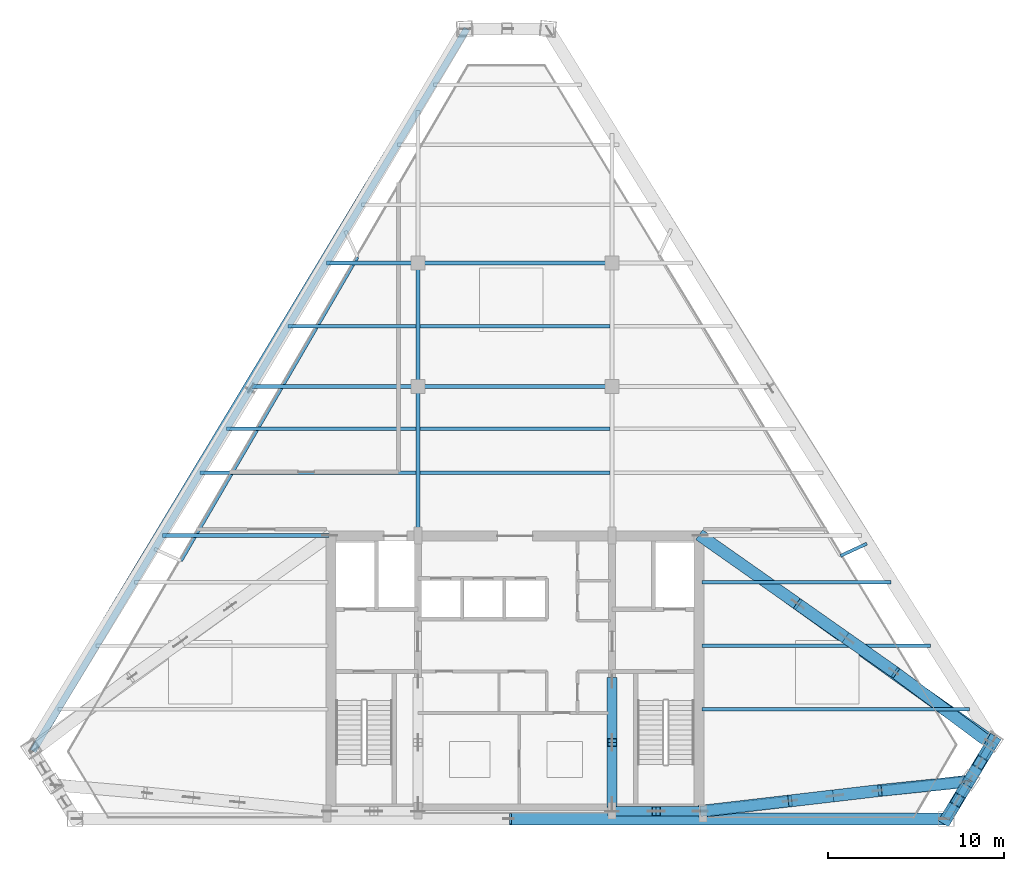
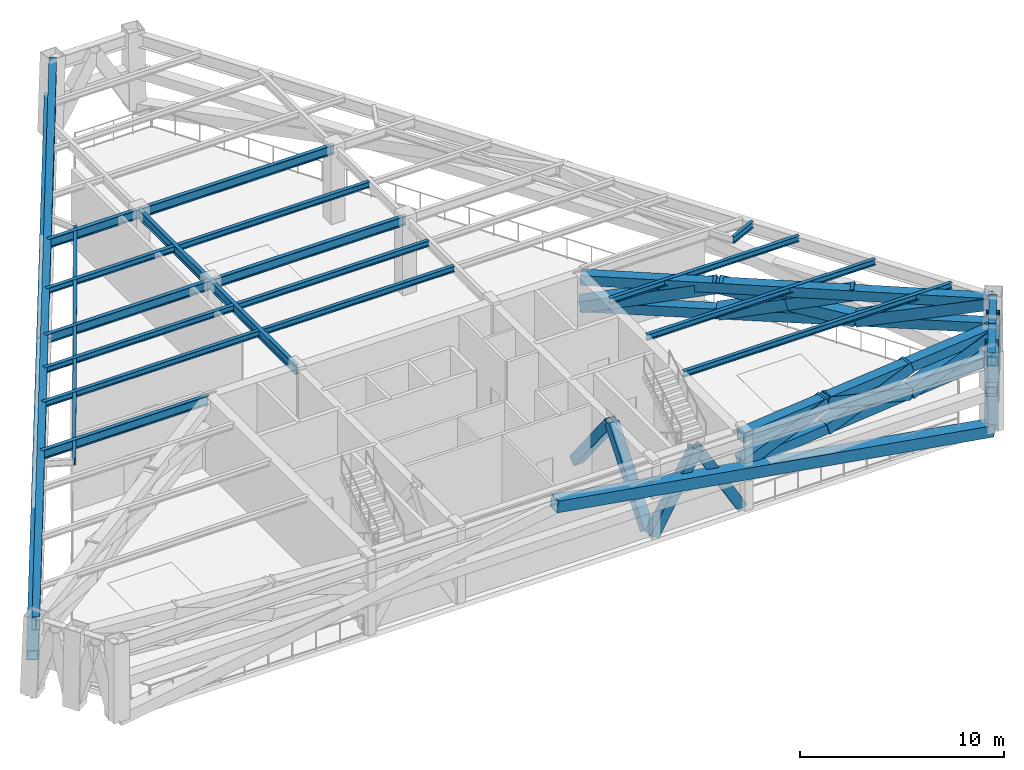
# One storey, part 2 of 9: 26 members, 21 beams.
"""IFC4 building model written with IfcOpenShell, lengths in metres."""

import ifcopenshell
import ifcopenshell.guid

model = None  # the IFC model being written
_history = None  # IfcOwnerHistory: only IFC2X3 demands one
_inside = {}  # id of a spatial element -> (the spatial element, [elements in it])
_under = {}  # id of a project, library or spatial element -> (it, [spatial elements below it])
_declared = {}  # id of a project -> (the project, [libraries it declares])
_typed = {}  # id of a type object -> (the type object, [elements of that type])
_made_of = {}  # id of a material, layer set ... -> (it, [elements and type objects made of it])


def new_model(schema):
    """Start an empty IFC model of exactly this schema.

    Asked for "IFC4X3", IfcOpenShell would pick the latest addendum, in which some entities
    have other attributes; the version numbers below select the first issue.
    IFC2X3 requires an IfcOwnerHistory on every rooted entity: one is made here for all.
    """
    global model, _history
    if schema == "IFC4X3":
        model = ifcopenshell.file(schema_version=(4, 3, 0, 0))
    else:
        model = ifcopenshell.file(schema=schema)
    _inside.clear()
    _under.clear()
    _declared.clear()
    _typed.clear()
    _made_of.clear()
    _history = None
    if model.schema == "IFC2X3":
        org = make("IfcOrganization", Name="unknown")
        user = make(
            "IfcPersonAndOrganization",
            ThePerson=make("IfcPerson", FamilyName="unknown"),
            TheOrganization=org,
        )
        app = make(
            "IfcApplication",
            ApplicationDeveloper=org,
            Version="unknown",
            ApplicationFullName="unknown",
            ApplicationIdentifier="unknown",
        )
        _history = make(
            "IfcOwnerHistory",
            OwningUser=user,
            OwningApplication=app,
            ChangeAction="ADDED",
            CreationDate=0,
        )
    return model


def make(cls, **values):
    """One entity of the class cls with the attributes given. An attribute that is None is left unset."""
    return model.create_entity(
        cls, **{name: value for name, value in values.items() if value is not None}
    )


def rooted(cls, **values):
    """An entity with a GlobalId (a new one), such as an element, a storey or a relation."""
    return make(cls, GlobalId=ifcopenshell.guid.new(), OwnerHistory=_history, **values)


def si_unit(unit_type, name, prefix=None):
    """IfcSIUnit, for example si_unit("LENGTHUNIT", "METRE", prefix="MILLI")."""
    return make("IfcSIUnit", UnitType=unit_type, Prefix=prefix, Name=name)


def assignment(units):
    """IfcUnitAssignment: the units of a project."""
    return None if units is None else make("IfcUnitAssignment", Units=units)


def point(xyz):
    """IfcCartesianPoint."""
    return None if xyz is None else make("IfcCartesianPoint", Coordinates=xyz)


def direction(xyz):
    """IfcDirection."""
    return None if xyz is None else make("IfcDirection", DirectionRatios=xyz)


def frame(location, z_axis=None, x_axis=None):
    """IfcAxis2Placement3D, a coordinate frame: its origin and axes. An axis left out is left unset."""
    return make(
        "IfcAxis2Placement3D",
        Location=point(location),
        Axis=direction(z_axis),
        RefDirection=direction(x_axis),
    )


def frame_2d(location, x_axis=None):
    """IfcAxis2Placement2D, a coordinate frame in the plane: its origin and x axis."""
    return make(
        "IfcAxis2Placement2D", Location=point(location), RefDirection=direction(x_axis)
    )


def origin():
    """The frame at (0, 0, 0) with its axes left unset."""
    return frame((0.0, 0.0, 0.0))


def origin_2d():
    """The frame at (0, 0) in the plane with its x axis left unset."""
    return frame_2d((0.0, 0.0))


def place(relative_to, where):
    """IfcLocalPlacement: puts the frame where relative to a parent placement (None: the world)."""
    return make(
        "IfcLocalPlacement", PlacementRelTo=relative_to, RelativePlacement=where
    )


def context(
    kind, dimensions, precision=None, world=None, true_north=None, identifier=None
):
    """IfcGeometricRepresentationContext, for example the 3D "Model" context."""
    return make(
        "IfcGeometricRepresentationContext",
        ContextIdentifier=identifier,
        ContextType=kind,
        CoordinateSpaceDimension=dimensions,
        Precision=precision,
        WorldCoordinateSystem=world,
        TrueNorth=true_north,
    )


def subcontext(parent, identifier, kind, view, scale=None):
    """IfcGeometricRepresentationSubContext, for example "Body" below "Model"."""
    return make(
        "IfcGeometricRepresentationSubContext",
        ContextIdentifier=identifier,
        ContextType=kind,
        ParentContext=parent,
        TargetScale=scale,
        TargetView=view,
    )


def project(units=None, contexts=None):
    """IfcProject with its units and contexts."""
    return rooted(
        "IfcProject",
        Name="project",
        RepresentationContexts=contexts,
        UnitsInContext=assignment(units),
    )


def spatial(cls, under=None, at=None, **own):
    """A site, building, storey or space (cls), placed at a placement, below another one or the project."""
    s = rooted(cls, ObjectPlacement=at, **own)
    if under is not None:
        _under.setdefault(under.id(), (under, []))[1].append(s)
    return s


def profile(cls, at=None, kind="AREA", **sizes):
    """A parametric profile (cls). Its sizes go by their IFC names, for example OverallWidth=200.0."""
    return make(cls, ProfileType=kind, Position=at, **sizes)


def hollow_rectangle(**sizes):
    """IfcRectangleHollowProfileDef."""
    return profile("IfcRectangleHollowProfileDef", **sizes)


def i_section(**sizes):
    """IfcIShapeProfileDef."""
    return profile("IfcIShapeProfileDef", **sizes)


def extrude(swept, where, along, depth):
    """IfcExtrudedAreaSolid: the profile swept, set in the frame where, extruded along a direction by depth."""
    return make(
        "IfcExtrudedAreaSolid",
        SweptArea=swept,
        Position=where,
        ExtrudedDirection=direction(along),
        Depth=depth,
    )


def shape(context_of_items, identifier, shape_type, items):
    """IfcShapeRepresentation: the items that make up one representation, for example the "Body"."""
    return make(
        "IfcShapeRepresentation",
        ContextOfItems=context_of_items,
        RepresentationIdentifier=identifier,
        RepresentationType=shape_type,
        Items=items,
    )


def source(mapping_origin, context_of_items, identifier, shape_type, items):
    """IfcRepresentationMap: a shape defined once, which mapped items show again and again."""
    return make(
        "IfcRepresentationMap",
        MappingOrigin=mapping_origin,
        MappedRepresentation=shape(context_of_items, identifier, shape_type, items),
    )


def transform(
    local_origin,
    x_axis=None,
    y_axis=None,
    z_axis=None,
    scale=None,
    scale2=None,
    scale3=None,
    uniform=True,
):
    """IfcCartesianTransformationOperator3D, or its non-uniform kind. x_axis, y_axis, z_axis: its Axis1, 2, 3."""
    if uniform:
        return make(
            "IfcCartesianTransformationOperator3D",
            Axis1=direction(x_axis),
            Axis2=direction(y_axis),
            LocalOrigin=point(local_origin),
            Scale=scale,
            Axis3=direction(z_axis),
        )
    return make(
        "IfcCartesianTransformationOperator3DnonUniform",
        Axis1=direction(x_axis),
        Axis2=direction(y_axis),
        LocalOrigin=point(local_origin),
        Scale=scale,
        Axis3=direction(z_axis),
        Scale2=scale2,
        Scale3=scale3,
    )


def mapped(mapping_source, mapping_target):
    """IfcMappedItem: shows the shape of a source again, moved by a transform."""
    return make(
        "IfcMappedItem", MappingSource=mapping_source, MappingTarget=mapping_target
    )


def material(Name=None, Category=None):
    """IfcMaterial."""
    return make("IfcMaterial", Name=Name, Category=Category)


def material_profile(
    of_material, cross_section, Name=None, Category=None, Priority=None
):
    """IfcMaterialProfile: a cross section and its material."""
    return make(
        "IfcMaterialProfile",
        Name=Name,
        Material=of_material,
        Profile=cross_section,
        Priority=Priority,
        Category=Category,
    )


def profile_set(profiles, Name=None, composite=None):
    """IfcMaterialProfileSet."""
    return make(
        "IfcMaterialProfileSet",
        Name=Name,
        MaterialProfiles=profiles,
        CompositeProfile=composite,
    )


def made_of(thing, what):
    """Note that an element or type object is made of a material, layer set ...; save() writes the relation."""
    if what is not None:
        _made_of.setdefault(what.id(), (what, []))[1].append(thing)
    return thing


def type_object(cls, material=None, **own):
    """A type object (cls), such as IfcWallType, which elements share."""
    return made_of(rooted(cls, **own), material)


def type_shapes(of_type, sources):
    """Give a type object the sources (RepresentationMaps) that its elements show as mapped items."""
    of_type.RepresentationMaps = sources


def element(
    cls,
    number,
    at=None,
    inside=None,
    cuts=None,
    type_object=None,
    material=None,
    context=None,
    identifier="Body",
    shape_type=None,
    held_by="IfcProductDefinitionShape",
    body=None,
    shapes=None,
    **own,
):
    """One element of the class cls, such as IfcWall. Its Tag is "e" and its number.

    at: its placement. inside: the storey or other place that contains it. cuts: it is an
    opening in that element (IfcRelVoidsElement). A single representation is given by context,
    identifier, shape_type and body (its items); several are given by shapes. held_by: the class
    of the entity that holds the representations. save() writes the other relations.
    """
    e = rooted(cls, Tag="e%d" % number, ObjectPlacement=at, **own)
    if body is not None:
        shapes = [shape(context, identifier, shape_type, body)]
    if shapes is not None:
        e.Representation = make(held_by, Representations=shapes)
    if inside is not None:
        _inside.setdefault(inside.id(), (inside, []))[1].append(e)
    if cuts is not None:
        rooted(
            "IfcRelVoidsElement", RelatingBuildingElement=cuts, RelatedOpeningElement=e
        )
    if type_object is not None:
        _typed.setdefault(type_object.id(), (type_object, []))[1].append(e)
    return made_of(e, material)


def aggregate(whole, parts):
    """IfcRelAggregates: a whole, such as a stair, and the parts it consists of."""
    return rooted("IfcRelAggregates", RelatingObject=whole, RelatedObjects=parts)


def save(model, path):
    """Write the relations noted so far, then the file.

    IfcRelAggregates (storeys below a building ...), IfcRelContainedInSpatialStructure (elements
    in a storey), IfcRelDefinesByType, IfcRelAssociatesMaterial and IfcRelDeclares: one each for
    every whole, place, type object, material and project.
    """
    for whole, parts in _under.values():
        aggregate(whole, parts)
    for where, things in _inside.values():
        rooted(
            "IfcRelContainedInSpatialStructure",
            RelatedElements=things,
            RelatingStructure=where,
        )
    for kind, things in _typed.values():
        rooted("IfcRelDefinesByType", RelatedObjects=things, RelatingType=kind)
    for what, things in _made_of.values():
        rooted("IfcRelAssociatesMaterial", RelatedObjects=things, RelatingMaterial=what)
    for by, libraries in _declared.values():
        rooted("IfcRelDeclares", RelatingContext=by, RelatedDefinitions=libraries)
    model.write(path)


model = new_model("IFC4")

# Units and contexts
model_context = context("Model", 3, precision=1e-05, world=origin(), true_north=direction((0.0, 1.0)))
body_context = subcontext(model_context, "Body", "Model", "MODEL_VIEW")
ifc_project = project(units=[si_unit("LENGTHUNIT", "METRE"), si_unit("AREAUNIT", "SQUARE_METRE"), si_unit("VOLUMEUNIT", "CUBIC_METRE"), si_unit("PLANEANGLEUNIT", "RADIAN"), si_unit("MASSUNIT", "GRAM", prefix="KILO")], contexts=[model_context])

# Site, building, storey
site_placement = place(None, origin())
site = spatial("IfcSite", under=ifc_project, at=site_placement, CompositionType="ELEMENT")
building_placement = place(site_placement, origin())
building = spatial("IfcBuilding", under=site, at=building_placement, Name="Varnakhor Terracotta Tower", CompositionType="ELEMENT")
storey_placement = place(building_placement, frame((0.0, 0.0, 257.949951171875)))
storey = spatial("IfcBuildingStorey", under=building, at=storey_placement, Name="L67", CompositionType="ELEMENT", Elevation=257.949951171875)

# Beams
ifc_material_1 = material(Name="Steel S355", Category="steel")
ifc_material_profile_1 = material_profile(ifc_material_1, i_section(OverallWidth=0.214111328125, OverallDepth=0.549072265625, WebThickness=0.014892578125, FlangeThickness=0.02392578125, FilletRadius=0.01806640625, at=origin_2d()), Name="W21X93")
ifc_profile_set_1 = profile_set([ifc_material_profile_1], Name="Steel S355")
beam_type_1 = type_object("IfcBeamType", Name="BM-W21X93", PredefinedType="BEAM", material=ifc_profile_set_1)
shared_shape_1 = source(origin(), body_context, "Body", "SweptSolid", [
    extrude(i_section(OverallWidth=0.214111328125, OverallDepth=0.549072265625, WebThickness=0.014892578125, FlangeThickness=0.02392578125, FilletRadius=0.01806640625, at=origin_2d()), origin(), (0.0, 0.0, 1.0), 8.449951171875),
])
type_shapes(beam_type_1, [shared_shape_1])
beam_1_placement = place(storey_placement, frame((-5.5, 16.050048828125, 4.215576171875), z_axis=(0.0, 1.0, 0.0), x_axis=(-1.0, 0.0, 0.0)))
element("IfcBeam", 1, at=beam_1_placement, inside=storey, type_object=beam_type_1, Name="L67 Primary Girder NS1-W", PredefinedType="BEAM", context=body_context, shape_type="MappedRepresentation", body=[
    mapped(shared_shape_1, transform((0.0, 0.0, 0.0), scale=1.0)),
])
shared_shape_2 = source(origin(), body_context, "Body", "SweptSolid", [
    extrude(i_section(OverallWidth=0.214111328125, OverallDepth=0.549072265625, WebThickness=0.014892578125, FlangeThickness=0.02392578125, FilletRadius=0.01806640625, at=origin_2d()), origin(), (0.0, 0.0, 1.0), 7.0),
])
beam_2_placement = place(storey_placement, frame((-5.5, 24.5, 4.215576171875), z_axis=(0.0, 1.0, 0.0), x_axis=(-1.0, 0.0, 0.0)))
element("IfcBeam", 2, at=beam_2_placement, inside=storey, type_object=beam_type_1, Name="L67 Primary Girder NS2-W", PredefinedType="BEAM", context=body_context, shape_type="MappedRepresentation", body=[
    mapped(shared_shape_2, transform((0.0, 0.0, 0.0), scale=1.0)),
])
shared_shape_3 = source(origin(), body_context, "Body", "SweptSolid", [
    extrude(i_section(OverallWidth=0.214111328125, OverallDepth=0.549072265625, WebThickness=0.014892578125, FlangeThickness=0.02392578125, FilletRadius=0.01806640625, at=origin_2d()), origin(), (0.0, 0.0, 1.0), 11.0),
])
for number, where, z_axis, x_axis, name in (
    (3, (-5.5, 24.5, 4.215576171875), (1.0, 0.0, 0.0), (0.0, 1.0, 0.0), "L67 Primary Girder EW2-2"),
    (4, (-5.5, 31.5, 4.215576171875), (1.0, 0.0, 0.0), (0.0, 1.0, 0.0), "L67 Primary Girder EW3-2"),
):
    element("IfcBeam", number, at=place(storey_placement, frame(where, z_axis=z_axis, x_axis=x_axis)), inside=storey, type_object=beam_type_1, Name=name, PredefinedType="BEAM", context=body_context, shape_type="MappedRepresentation", body=[
        mapped(shared_shape_3, transform((0.0, 0.0, 0.0), scale=1.0)),
    ])
ifc_material_profile_2 = material_profile(ifc_material_1, i_section(OverallWidth=0.202880859375, OverallDepth=0.346923828125, WebThickness=0.0078125, FlangeThickness=0.013427734375, FilletRadius=0.01806640625, at=origin_2d()), Name="W14X43")
ifc_profile_set_2 = profile_set([ifc_material_profile_2], Name="Steel S355")
beam_type_2 = type_object("IfcBeamType", Name="JST-W14X43", PredefinedType="JOIST", material=ifc_profile_set_2)
shared_shape_4 = source(origin(), body_context, "Body", "SweptSolid", [
    extrude(i_section(OverallWidth=0.202880859375, OverallDepth=0.346923828125, WebThickness=0.0078125, FlangeThickness=0.013427734375, FilletRadius=0.01806640625, at=origin_2d()), origin(), (0.0, 0.0, 1.0), 10.7939453125),
])
for number, where, z_axis, x_axis, name in (
    (5, (-5.39697265625, 19.60009765625, 4.316650390625), (1.0, 0.0, 0.0), (0.0, 1.0, 0.0), "L67 Composite Floor Joist 4-2"),
    (6, (-5.39697265625, 22.10009765625, 4.316650390625), (1.0, 0.0, 0.0), (0.0, 1.0, 0.0), "L67 Composite Floor Joist 5-2"),
    (7, (-5.39697265625, 27.89990234375, 4.316650390625), (1.0, 0.0, 0.0), (0.0, 1.0, 0.0), "L67 Composite Floor Joist 6-2"),
):
    element("IfcBeam", number, at=place(storey_placement, frame(where, z_axis=z_axis, x_axis=x_axis)), inside=storey, type_object=beam_type_2, Name=name, PredefinedType="JOIST", context=body_context, shape_type="MappedRepresentation", body=[
        mapped(shared_shape_4, transform((0.0, 0.0, 0.0), scale=1.0)),
    ])
ifc_material_profile_3 = material_profile(ifc_material_1, i_section(OverallWidth=0.381103515625, OverallDepth=0.77294921875, WebThickness=0.01708984375, FlangeThickness=0.027099609375, FilletRadius=0.01806640625, at=origin_2d()), Name="W30X173")
ifc_profile_set_3 = profile_set([ifc_material_profile_3], Name="Steel S355")
beam_type_3 = type_object("IfcBeamType", Name="BM-W30X173", PredefinedType="BEAM", material=ifc_profile_set_3)
shared_shape_5 = source(origin(), body_context, "Body", "SweptSolid", [
    extrude(i_section(OverallWidth=0.381103515625, OverallDepth=0.77294921875, WebThickness=0.01708984375, FlangeThickness=0.027099609375, FilletRadius=0.01806640625, at=origin_2d()), origin(), (0.0, 0.0, 1.0), 2.474609375),
])
beam_3_placement = place(storey_placement, frame((24.43505859375, 0.0, 4.103515625), z_axis=(0.515017990596, 0.857179368256, 0.0), x_axis=(-0.857179368256, 0.515017990596, 0.0)))
element("IfcBeam", 8, at=beam_3_placement, inside=storey, type_object=beam_type_3, Name="L67 Perimeter Spandrel 2", PredefinedType="BEAM", context=body_context, shape_type="MappedRepresentation", body=[
    mapped(shared_shape_5, transform((0.0, 0.0, 0.0), scale=1.0)),
])
shared_shape_6 = source(origin(), body_context, "Body", "SweptSolid", [
    extrude(i_section(OverallWidth=0.381103515625, OverallDepth=0.77294921875, WebThickness=0.01708984375, FlangeThickness=0.027099609375, FilletRadius=0.01806640625, at=origin_2d()), origin(), (0.0, 0.0, 1.0), 2.474365234375),
])
beam_4_placement = place(storey_placement, frame((25.70947265625, 2.12109375, 4.103515625), z_axis=(0.514945492196, 0.857222923204, 0.0), x_axis=(-0.857222923204, 0.514945492196, 0.0)))
element("IfcBeam", 9, at=beam_4_placement, inside=storey, type_object=beam_type_3, Name="L67 Perimeter Spandrel 3", PredefinedType="BEAM", context=body_context, shape_type="MappedRepresentation", body=[
    mapped(shared_shape_6, transform((0.0, 0.0, 0.0), scale=1.0)),
])
shared_shape_7 = source(origin(), body_context, "Body", "SweptSolid", [
    extrude(i_section(OverallWidth=0.381103515625, OverallDepth=0.77294921875, WebThickness=0.01708984375, FlangeThickness=0.027099609375, FilletRadius=0.01806640625, at=origin_2d()), origin(), (0.0, 0.0, 1.0), 47.754150390625),
])
beam_5_placement = place(storey_placement, frame((-2.72314453125, 44.766845703125, 4.103515625), z_axis=(-0.515008412754, -0.857185122825, 0.0), x_axis=(0.857185122825, -0.515008412754, 0.0)))
element("IfcBeam", 10, at=beam_5_placement, inside=storey, type_object=beam_type_3, Name="L67 Perimeter Spandrel 6", PredefinedType="BEAM", context=body_context, shape_type="MappedRepresentation", body=[
    mapped(shared_shape_7, transform((0.0, 0.0, 0.0), scale=1.0)),
])
ifc_material_profile_4 = material_profile(ifc_material_1, i_section(OverallWidth=0.179931640625, OverallDepth=0.39990234375, WebThickness=0.008544921875, FlangeThickness=0.013427734375, FilletRadius=0.01806640625, at=origin_2d()), Name="IPE400")
ifc_profile_set_4 = profile_set([ifc_material_profile_4], Name="Steel S355")
beam_type_4 = type_object("IfcBeamType", Name="JST-IPE400", PredefinedType="JOIST", material=ifc_profile_set_4)
shared_shape_8 = source(origin(), body_context, "Body", "SweptSolid", [
    extrude(i_section(OverallWidth=0.179931640625, OverallDepth=0.39990234375, WebThickness=0.008544921875, FlangeThickness=0.013427734375, FilletRadius=0.01806640625, at=origin_2d()), origin(), (0.0, 0.0, 1.0), 19.907958984375),
])
beam_6_placement = place(storey_placement, frame((-8.9208984375, 31.827880859375, 4.2900390625), z_axis=(-0.502507058288, -0.864573106435, 0.0), x_axis=(0.864573106435, -0.502507058288, 0.0)))
element("IfcBeam", 11, at=beam_6_placement, inside=storey, type_object=beam_type_4, Name="L67 Loggia Edge Beam 2", PredefinedType="JOIST", context=body_context, shape_type="MappedRepresentation", body=[
    mapped(shared_shape_8, transform((0.0, 0.0, 0.0), scale=1.0)),
])
shared_shape_9 = source(origin(), body_context, "Body", "SweptSolid", [
    extrude(i_section(OverallWidth=0.214111328125, OverallDepth=0.549072265625, WebThickness=0.014892578125, FlangeThickness=0.02392578125, FilletRadius=0.01806640625, at=origin_2d()), origin(), (0.0, 0.0, 1.0), 9.426513671875),
])
beam_7_placement = place(storey_placement, frame((-19.9765625, 16.050048828125, 4.215576171875), z_axis=(1.0, 0.0, 0.0), x_axis=(0.0, 1.0, 0.0)))
element("IfcBeam", 12, at=beam_7_placement, inside=storey, type_object=beam_type_1, Name="L67 Wing Girder W", PredefinedType="BEAM", context=body_context, shape_type="MappedRepresentation", body=[
    mapped(shared_shape_9, transform((0.0, 0.0, 0.0), scale=1.0)),
])
shared_shape_10 = source(origin(), body_context, "Body", "SweptSolid", [
    extrude(i_section(OverallWidth=0.214111328125, OverallDepth=0.549072265625, WebThickness=0.014892578125, FlangeThickness=0.02392578125, FilletRadius=0.01806640625, at=origin_2d()), origin(), (0.0, 0.0, 1.0), 9.399658203125),
])
beam_8_placement = place(storey_placement, frame((-14.899658203125, 24.5, 4.215576171875), z_axis=(1.0, 0.0, 0.0), x_axis=(0.0, 1.0, 0.0)))
element("IfcBeam", 13, at=beam_8_placement, inside=storey, type_object=beam_type_1, Name="L67 Primary Girder EW2-1", PredefinedType="BEAM", context=body_context, shape_type="MappedRepresentation", body=[
    mapped(shared_shape_10, transform((0.0, 0.0, 0.0), scale=1.0)),
])
shared_shape_11 = source(origin(), body_context, "Body", "SweptSolid", [
    extrude(i_section(OverallWidth=0.214111328125, OverallDepth=0.549072265625, WebThickness=0.014892578125, FlangeThickness=0.02392578125, FilletRadius=0.01806640625, at=origin_2d()), origin(), (0.0, 0.0, 1.0), 5.194091796875),
])
beam_9_placement = place(storey_placement, frame((-10.694091796875, 31.5, 4.215576171875), z_axis=(1.0, 0.0, 0.0), x_axis=(0.0, 1.0, 0.0)))
element("IfcBeam", 14, at=beam_9_placement, inside=storey, type_object=beam_type_1, Name="L67 Primary Girder EW3-1", PredefinedType="BEAM", context=body_context, shape_type="MappedRepresentation", body=[
    mapped(shared_shape_11, transform((0.0, 0.0, 0.0), scale=1.0)),
])
shared_shape_12 = source(origin(), body_context, "Body", "SweptSolid", [
    extrude(i_section(OverallWidth=0.202880859375, OverallDepth=0.346923828125, WebThickness=0.0078125, FlangeThickness=0.013427734375, FilletRadius=0.01806640625, at=origin_2d()), origin(), (0.0, 0.0, 1.0), 15.1669921875),
])
beam_10_placement = place(storey_placement, frame((10.60009765625, 6.199951171875, 4.316650390625), z_axis=(1.0, 0.0, 0.0), x_axis=(0.0, 1.0, 0.0)))
element("IfcBeam", 15, at=beam_10_placement, inside=storey, type_object=beam_type_2, Name="L67 Floor Joist E1", PredefinedType="JOIST", context=body_context, shape_type="MappedRepresentation", body=[
    mapped(shared_shape_12, transform((0.0, 0.0, 0.0), scale=1.0)),
])
shared_shape_13 = source(origin(), body_context, "Body", "SweptSolid", [
    extrude(i_section(OverallWidth=0.202880859375, OverallDepth=0.346923828125, WebThickness=0.0078125, FlangeThickness=0.013427734375, FilletRadius=0.01806640625, at=origin_2d()), origin(), (0.0, 0.0, 1.0), 12.93017578125),
])
beam_11_placement = place(storey_placement, frame((10.60009765625, 9.800048828125, 4.316650390625), z_axis=(1.0, 0.0, 0.0), x_axis=(0.0, 1.0, 0.0)))
element("IfcBeam", 16, at=beam_11_placement, inside=storey, type_object=beam_type_2, Name="L67 Floor Joist E2", PredefinedType="JOIST", context=body_context, shape_type="MappedRepresentation", body=[
    mapped(shared_shape_13, transform((0.0, 0.0, 0.0), scale=1.0)),
])
shared_shape_14 = source(origin(), body_context, "Body", "SweptSolid", [
    extrude(i_section(OverallWidth=0.202880859375, OverallDepth=0.346923828125, WebThickness=0.0078125, FlangeThickness=0.013427734375, FilletRadius=0.01806640625, at=origin_2d()), origin(), (0.0, 0.0, 1.0), 10.693115234375),
])
beam_12_placement = place(storey_placement, frame((10.60009765625, 13.39990234375, 4.316650390625), z_axis=(1.0, 0.0, 0.0), x_axis=(0.0, 1.0, 0.0)))
element("IfcBeam", 17, at=beam_12_placement, inside=storey, type_object=beam_type_2, Name="L67 Floor Joist E3", PredefinedType="JOIST", context=body_context, shape_type="MappedRepresentation", body=[
    mapped(shared_shape_14, transform((0.0, 0.0, 0.0), scale=1.0)),
])
shared_shape_15 = source(origin(), body_context, "Body", "SweptSolid", [
    extrude(i_section(OverallWidth=0.202880859375, OverallDepth=0.346923828125, WebThickness=0.0078125, FlangeThickness=0.013427734375, FilletRadius=0.01806640625, at=origin_2d()), origin(), (0.0, 0.0, 1.0), 12.24072265625),
])
beam_13_placement = place(storey_placement, frame((-17.84375, 19.60009765625, 4.316650390625), z_axis=(1.0, 0.0, 0.0), x_axis=(0.0, 1.0, 0.0)))
element("IfcBeam", 18, at=beam_13_placement, inside=storey, type_object=beam_type_2, Name="L67 Composite Floor Joist 4-1", PredefinedType="JOIST", context=body_context, shape_type="MappedRepresentation", body=[
    mapped(shared_shape_15, transform((0.0, 0.0, 0.0), scale=1.0)),
])
shared_shape_16 = source(origin(), body_context, "Body", "SweptSolid", [
    extrude(i_section(OverallWidth=0.202880859375, OverallDepth=0.346923828125, WebThickness=0.0078125, FlangeThickness=0.013427734375, FilletRadius=0.01806640625, at=origin_2d()), origin(), (0.0, 0.0, 1.0), 10.73876953125),
])
beam_14_placement = place(storey_placement, frame((-16.341796875, 22.10009765625, 4.316650390625), z_axis=(1.0, 0.0, 0.0), x_axis=(0.0, 1.0, 0.0)))
element("IfcBeam", 19, at=beam_14_placement, inside=storey, type_object=beam_type_2, Name="L67 Composite Floor Joist 5-1", PredefinedType="JOIST", context=body_context, shape_type="MappedRepresentation", body=[
    mapped(shared_shape_16, transform((0.0, 0.0, 0.0), scale=1.0)),
])
shared_shape_17 = source(origin(), body_context, "Body", "SweptSolid", [
    extrude(i_section(OverallWidth=0.202880859375, OverallDepth=0.346923828125, WebThickness=0.0078125, FlangeThickness=0.013427734375, FilletRadius=0.01806640625, at=origin_2d()), origin(), (0.0, 0.0, 1.0), 7.25390625),
])
beam_15_placement = place(storey_placement, frame((-12.85693359375, 27.89990234375, 4.316650390625), z_axis=(1.0, 0.0, 0.0), x_axis=(0.0, 1.0, 0.0)))
element("IfcBeam", 20, at=beam_15_placement, inside=storey, type_object=beam_type_2, Name="L67 Composite Floor Joist 6-1", PredefinedType="JOIST", context=body_context, shape_type="MappedRepresentation", body=[
    mapped(shared_shape_17, transform((0.0, 0.0, 0.0), scale=1.0)),
])

# Members
ifc_material_profile_5 = material_profile(ifc_material_1, hollow_rectangle(XDim=0.550048828125, YDim=0.550048828125, WallThickness=0.034912109375, at=origin_2d()), Name="HSS550X550X35")
ifc_profile_set_5 = profile_set([ifc_material_profile_5], Name="Steel S355")
member_type_1 = type_object("IfcMemberType", Name="MBR-MEGA-550", PredefinedType="BRACE", material=ifc_profile_set_5)
shared_shape_18 = source(origin(), body_context, "Body", "SweptSolid", [
    extrude(hollow_rectangle(XDim=0.550048828125, YDim=0.550048828125, WallThickness=0.034912109375, at=origin_2d()), origin(), (0.0, 0.0, 1.0), 5.008544921875),
])
for number, where, z_axis, x_axis, name in (
    (21, (5.5, 0.419921875, 0.0), (0.49913860216, 0.0, 0.86652216119), (0.0, 1.0, 0.0), "L67 Core Coupled Brace CSEA"),
    (22, (10.5, 0.419921875, 0.0), (-0.49913860216, 0.0, 0.86652216119), (0.0, -1.0, 0.0), "L67 Core Coupled Brace CSEB"),
):
    element("IfcMember", number, at=place(storey_placement, frame(where, z_axis=z_axis, x_axis=x_axis)), inside=storey, type_object=member_type_1, Name=name, PredefinedType="BRACE", context=body_context, shape_type="MappedRepresentation", body=[
        mapped(shared_shape_18, transform((0.0, 0.0, 0.0), scale=1.0)),
    ])
shared_shape_19 = source(origin(), body_context, "Body", "SweptSolid", [
    extrude(hollow_rectangle(XDim=0.550048828125, YDim=0.550048828125, WallThickness=0.034912109375, at=origin_2d()), origin(), (0.0, 0.0, 1.0), 5.559814453125),
])
for number, where, z_axis, x_axis, name in (
    (23, (5.5, 0.85009765625, 0.0), (0.0, 0.625000242142, 0.780624555931), (-1.0, 0.0, 0.0), "L67 Core Coupled Brace CWEA"),
    (24, (5.5, 7.800048828125, 0.0), (0.0, -0.625026999934, 0.780603131785), (1.0, 0.0, 0.0), "L67 Core Coupled Brace CWEB"),
):
    element("IfcMember", number, at=place(storey_placement, frame(where, z_axis=z_axis, x_axis=x_axis)), inside=storey, type_object=member_type_1, Name=name, PredefinedType="BRACE", context=body_context, shape_type="MappedRepresentation", body=[
        mapped(shared_shape_19, transform((0.0, 0.0, 0.0), scale=1.0)),
    ])
ifc_material_2 = material(Name="Steel S460", Category="steel")
ifc_material_profile_6 = material_profile(ifc_material_2, hollow_rectangle(XDim=0.679931640625, YDim=0.679931640625, WallThickness=0.048095703125, at=origin_2d()), Name="HSS680X680X48")
ifc_profile_set_6 = profile_set([ifc_material_profile_6], Name="Steel S460")
member_type_2 = type_object("IfcMemberType", Name="MBR-OUTRIGGER-680", PredefinedType="BRACE", material=ifc_profile_set_6)
shared_shape_20 = source(origin(), body_context, "Body", "SweptSolid", [
    extrude(hollow_rectangle(XDim=0.679931640625, YDim=0.679931640625, WallThickness=0.048095703125, at=origin_2d()), origin(), (0.0, 0.0, 1.0), 25.028076171875),
])
member_1_placement = place(storey_placement, frame((24.439208984375, 0.0, 0.0), z_axis=(-0.986467643321, 0.0, 0.163956057165), x_axis=(0.0, -1.0, 0.0)))
element("IfcMember", 25, at=member_1_placement, inside=storey, type_object=member_type_2, Name="L67 Belt-Truss Diagonal S1B", PredefinedType="BRACE", context=body_context, shape_type="MappedRepresentation", body=[
    mapped(shared_shape_20, transform((0.0, 0.0, 0.0), scale=1.0)),
])
shared_shape_21 = source(origin(), body_context, "Body", "SweptSolid", [
    extrude(hollow_rectangle(XDim=0.679931640625, YDim=0.679931640625, WallThickness=0.048095703125, at=origin_2d()), origin(), (0.0, 0.0, 1.0), 4.285400390625),
])
member_2_placement = place(storey_placement, frame((24.439208984375, 0.0, 0.0), z_axis=(0.147725224842, 0.247481055423, 0.95756482034), x_axis=(-0.858659266355, 0.512546841082, 0.0)))
element("IfcMember", 26, at=member_2_placement, inside=storey, type_object=member_type_2, Name="L67 Belt-Truss Diagonal E1A", PredefinedType="BRACE", context=body_context, shape_type="MappedRepresentation", body=[
    mapped(shared_shape_21, transform((0.0, 0.0, 0.0), scale=1.0)),
])
shared_shape_22 = source(origin(), body_context, "Body", "SweptSolid", [
    extrude(hollow_rectangle(XDim=0.679931640625, YDim=0.679931640625, WallThickness=0.048095703125, at=origin_2d()), origin(), (0.0, 0.0, 1.0), 4.313232421875),
])
member_3_placement = place(storey_placement, frame((25.76171875, 2.196044921875, 0.0), z_axis=(-0.159847896615, -0.263262240495, 0.951389322348), x_axis=(0.854772956151, -0.51900211313, 0.0)))
element("IfcMember", 27, at=member_3_placement, inside=storey, type_object=member_type_2, Name="L67 Belt-Truss Diagonal E1B", PredefinedType="BRACE", context=body_context, shape_type="MappedRepresentation", body=[
    mapped(shared_shape_22, transform((0.0, 0.0, 0.0), scale=1.0)),
])
ifc_material_profile_7 = material_profile(ifc_material_2, hollow_rectangle(XDim=0.580078125, YDim=0.580078125, WallThickness=0.0380859375, at=origin_2d()), Name="HSS580X580X38")
ifc_profile_set_7 = profile_set([ifc_material_profile_7], Name="Steel S460")
member_type_3 = type_object("IfcMemberType", Name="MBR-BELT-CHORD-580", PredefinedType="CHORD", material=ifc_profile_set_7)
shared_shape_23 = source(origin(), body_context, "Body", "SweptSolid", [
    extrude(hollow_rectangle(XDim=0.580078125, YDim=0.580078125, WallThickness=0.0380859375, at=origin_2d()), origin(), (0.0, 0.0, 1.0), 2.5634765625),
])
for number, where, z_axis, x_axis, name in (
    (28, (24.439208984375, 0.0, 2.150146484375), (0.515895604547, 0.856651460753, 0.0), (-0.856651460753, 0.515895604547, 0.0), "L67 Belt-Truss Bottom Chord E1"),
    (29, (25.76171875, 2.196044921875, 2.150146484375), (0.515825709996, 0.856693549005, 0.0), (-0.856693549005, 0.515825709996, 0.0), "L67 Belt-Truss Bottom Chord E2"),
):
    element("IfcMember", number, at=place(storey_placement, frame(where, z_axis=z_axis, x_axis=x_axis)), inside=storey, type_object=member_type_3, Name=name, PredefinedType="CHORD", context=body_context, shape_type="MappedRepresentation", body=[
        mapped(shared_shape_23, transform((0.0, 0.0, 0.0), scale=1.0)),
    ])
shared_shape_24 = source(origin(), body_context, "Body", "SweptSolid", [
    extrude(hollow_rectangle(XDim=0.679931640625, YDim=0.679931640625, WallThickness=0.048095703125, at=origin_2d()), origin(), (0.0, 0.0, 1.0), 4.260498046875),
])
member_4_placement = place(storey_placement, frame((25.76171875, 2.196044921875, 0.0), z_axis=(0.137298367098, 0.231275546581, 0.963151483384), x_axis=(-0.859889815119, 0.510479682117, 0.0)))
element("IfcMember", 30, at=member_4_placement, inside=storey, type_object=member_type_2, Name="L67 Belt-Truss Diagonal E2A", PredefinedType="BRACE", context=body_context, shape_type="MappedRepresentation", body=[
    mapped(shared_shape_24, transform((0.0, 0.0, 0.0), scale=1.0)),
])
shared_shape_25 = source(origin(), body_context, "Body", "SweptSolid", [
    extrude(hollow_rectangle(XDim=0.679931640625, YDim=0.679931640625, WallThickness=0.048095703125, at=origin_2d()), origin(), (0.0, 0.0, 1.0), 4.341552734375),
])
member_5_placement = place(storey_placement, frame((27.083984375, 4.39208984375, 0.0), z_axis=(-0.169828911818, -0.278868070763, 0.945193493323), x_axis=(0.854085457922, -0.520132704764, 0.0)))
element("IfcMember", 31, at=member_5_placement, inside=storey, type_object=member_type_2, Name="L67 Belt-Truss Diagonal E2B", PredefinedType="BRACE", context=body_context, shape_type="MappedRepresentation", body=[
    mapped(shared_shape_25, transform((0.0, 0.0, 0.0), scale=1.0)),
])
shared_shape_26 = source(origin(), body_context, "Body", "SweptSolid", [
    extrude(hollow_rectangle(XDim=0.580078125, YDim=0.580078125, WallThickness=0.0380859375, at=origin_2d()), origin(), (0.0, 0.0, 1.0), 47.58935546875),
])
member_6_placement = place(storey_placement, frame((-2.87353515625, 44.7587890625, 2.150146484375), z_axis=(-0.515867411813, -0.856668438446, 0.0), x_axis=(0.856668438446, -0.515867411813, 0.0)))
element("IfcMember", 32, at=member_6_placement, inside=storey, type_object=member_type_3, Name="L67 Belt-Truss Bottom Chord NW", PredefinedType="CHORD", context=body_context, shape_type="MappedRepresentation", body=[
    mapped(shared_shape_26, transform((0.0, 0.0, 0.0), scale=1.0)),
])
shared_shape_27 = source(origin(), body_context, "Body", "SweptSolid", [
    extrude(hollow_rectangle(XDim=0.580078125, YDim=0.580078125, WallThickness=0.0380859375, at=origin_2d()), origin(), (0.0, 0.0, 1.0), 15.36474609375),
])
member_7_placement = place(storey_placement, frame((10.5, 0.419921875, 2.550048828125), z_axis=(0.993296140898, 0.115597476085, 0.0), x_axis=(-0.115597476085, 0.993296140898, 0.0)))
element("IfcMember", 33, at=member_7_placement, inside=storey, type_object=member_type_3, Name="L67 Outrigger Bottom Chord OE1", PredefinedType="CHORD", context=body_context, shape_type="MappedRepresentation", body=[
    mapped(shared_shape_27, transform((0.0, 0.0, 0.0), scale=1.0)),
])
shared_shape_28 = source(origin(), body_context, "Body", "SweptSolid", [
    extrude(hollow_rectangle(XDim=0.580078125, YDim=0.580078125, WallThickness=0.0380859375, at=origin_2d()), origin(), (0.0, 0.0, 1.0), 15.30419921875),
])
member_8_placement = place(storey_placement, frame((10.5, 0.419921875, 4.14013671875), z_axis=(0.993802930153, 0.111156358427, 0.0), x_axis=(-0.111156358427, 0.993802930153, 0.0)))
element("IfcMember", 34, at=member_8_placement, inside=storey, type_object=member_type_3, Name="L67 Outrigger Top Chord OE1", PredefinedType="CHORD", context=body_context, shape_type="MappedRepresentation", body=[
    mapped(shared_shape_28, transform((0.0, 0.0, 0.0), scale=1.0)),
])
shared_shape_29 = source(origin(), body_context, "Body", "SweptSolid", [
    extrude(hollow_rectangle(XDim=0.679931640625, YDim=0.679931640625, WallThickness=0.048095703125, at=origin_2d()), origin(), (0.0, 0.0, 1.0), 5.362548828125),
])
for number, where, z_axis, x_axis, name in (
    (35, (10.5, 0.419921875, 2.550048828125), (0.948626757892, 0.110400724091, 0.29651130557), (-0.115599300608, 0.993295928563, 0.0), "L67 Outrigger Web Diagonal OE1-1"),
    (36, (15.587158203125, 1.011962890625, 4.14013671875), (0.948626757892, 0.110400724091, -0.29651130557), (-0.115599300608, 0.993295928563, 0.0), "L67 Outrigger Continuous X-Diagonal OE1-2"),
):
    element("IfcMember", number, at=place(storey_placement, frame(where, z_axis=z_axis, x_axis=x_axis)), inside=storey, type_object=member_type_2, Name=name, PredefinedType="BRACE", context=body_context, shape_type="MappedRepresentation", body=[
        mapped(shared_shape_29, transform((0.0, 0.0, 0.0), scale=1.0)),
    ])
shared_shape_30 = source(origin(), body_context, "Body", "SweptSolid", [
    extrude(hollow_rectangle(XDim=0.679931640625, YDim=0.679931640625, WallThickness=0.048095703125, at=origin_2d()), origin(), (0.0, 0.0, 1.0), 2.681396484375),
])
member_9_placement = place(storey_placement, frame((15.587158203125, 1.011962890625, 2.550048828125), z_axis=(0.948639350173, 0.110442415948, 0.29645548749), x_axis=(-0.11564085745, 0.993291091316, 0.0)))
element("IfcMember", 37, at=member_9_placement, inside=storey, type_object=member_type_2, Name="L67 Outrigger Split X-Diagonal OE1-3A", PredefinedType="BRACE", context=body_context, shape_type="MappedRepresentation", body=[
    mapped(shared_shape_30, transform((0.0, 0.0, 0.0), scale=1.0)),
])
shared_shape_31 = source(origin(), body_context, "Body", "SweptSolid", [
    extrude(hollow_rectangle(XDim=0.679931640625, YDim=0.679931640625, WallThickness=0.048095703125, at=origin_2d()), origin(), (0.0, 0.0, 1.0), 2.68115234375),
])
member_10_placement = place(storey_placement, frame((18.130859375, 1.30810546875, 3.344970703125), z_axis=(0.948614159982, 0.110359028787, 0.296567126038), x_axis=(-0.11555773917, 0.993300764581, 0.0)))
element("IfcMember", 38, at=member_10_placement, inside=storey, type_object=member_type_2, Name="L67 Outrigger Split X-Diagonal OE1-3B", PredefinedType="BRACE", context=body_context, shape_type="MappedRepresentation", body=[
    mapped(shared_shape_31, transform((0.0, 0.0, 0.0), scale=1.0)),
])
shared_shape_32 = source(origin(), body_context, "Body", "SweptSolid", [
    extrude(hollow_rectangle(XDim=0.679931640625, YDim=0.679931640625, WallThickness=0.048095703125, at=origin_2d()), origin(), (0.0, 0.0, 1.0), 5.305419921875),
])
member_11_placement = place(storey_placement, frame((20.67431640625, 1.60400390625, 2.550048828125), z_axis=(0.94904075264, 0.097462583111, 0.299704345517), x_axis=(-0.102158596169, 0.994768124353, 0.0)))
element("IfcMember", 39, at=member_11_placement, inside=storey, type_object=member_type_2, Name="L67 Outrigger Web Diagonal OE1-4", PredefinedType="BRACE", context=body_context, shape_type="MappedRepresentation", body=[
    mapped(shared_shape_32, transform((0.0, 0.0, 0.0), scale=1.0)),
])
shared_shape_33 = source(origin(), body_context, "Body", "SweptSolid", [
    extrude(hollow_rectangle(XDim=0.580078125, YDim=0.580078125, WallThickness=0.0380859375, at=origin_2d()), origin(), (0.0, 0.0, 1.0), 20.271484375),
])
member_12_placement = place(storey_placement, frame((10.5, 16.050048828125, 2.550048828125), z_axis=(0.818090777997, -0.575089105231, 0.0), x_axis=(0.575089105231, 0.818090777997, 0.0)))
element("IfcMember", 40, at=member_12_placement, inside=storey, type_object=member_type_3, Name="L67 Outrigger Bottom Chord OE2", PredefinedType="CHORD", context=body_context, shape_type="MappedRepresentation", body=[
    mapped(shared_shape_33, transform((0.0, 0.0, 0.0), scale=1.0)),
])
shared_shape_34 = source(origin(), body_context, "Body", "SweptSolid", [
    extrude(hollow_rectangle(XDim=0.580078125, YDim=0.580078125, WallThickness=0.0380859375, at=origin_2d()), origin(), (0.0, 0.0, 1.0), 20.276611328125),
])
member_13_placement = place(storey_placement, frame((10.5, 16.050048828125, 4.14013671875), z_axis=(0.812943575346, -0.582342462219, 0.0), x_axis=(0.582342462219, 0.812943575346, 0.0)))
element("IfcMember", 41, at=member_13_placement, inside=storey, type_object=member_type_3, Name="L67 Outrigger Top Chord OE2", PredefinedType="CHORD", context=body_context, shape_type="MappedRepresentation", body=[
    mapped(shared_shape_34, transform((0.0, 0.0, 0.0), scale=1.0)),
])
shared_shape_35 = source(origin(), body_context, "Body", "SweptSolid", [
    extrude(hollow_rectangle(XDim=0.679931640625, YDim=0.679931640625, WallThickness=0.048095703125, at=origin_2d()), origin(), (0.0, 0.0, 1.0), 6.94189453125),
])
member_14_placement = place(storey_placement, frame((10.5, 16.050048828125, 2.550048828125), z_axis=(0.796343671099, -0.559793411336, 0.229059149842), x_axis=(0.575083439107, 0.818094761054, 0.0)))
element("IfcMember", 42, at=member_14_placement, inside=storey, type_object=member_type_2, Name="L67 Outrigger Web Diagonal OE2-1", PredefinedType="BRACE", context=body_context, shape_type="MappedRepresentation", body=[
    mapped(shared_shape_35, transform((0.0, 0.0, 0.0), scale=1.0)),
])
shared_shape_36 = source(origin(), body_context, "Body", "SweptSolid", [
    extrude(hollow_rectangle(XDim=0.679931640625, YDim=0.679931640625, WallThickness=0.048095703125, at=origin_2d()), origin(), (0.0, 0.0, 1.0), 6.941650390625),
])
member_15_placement = place(storey_placement, frame((16.028076171875, 12.1640625, 4.14013671875), z_axis=(0.796330804251, -0.559809089801, -0.229065565237), x_axis=(0.575100437732, 0.81808281153, 0.0)))
element("IfcMember", 43, at=member_15_placement, inside=storey, type_object=member_type_2, Name="L67 Outrigger Continuous X-Diagonal OE2-2", PredefinedType="BRACE", context=body_context, shape_type="MappedRepresentation", body=[
    mapped(shared_shape_36, transform((0.0, 0.0, 0.0), scale=1.0)),
])
shared_shape_37 = source(origin(), body_context, "Body", "SweptSolid", [
    extrude(hollow_rectangle(XDim=0.679931640625, YDim=0.679931640625, WallThickness=0.048095703125, at=origin_2d()), origin(), (0.0, 0.0, 1.0), 3.470947265625),
])
member_16_placement = place(storey_placement, frame((16.028076171875, 12.1640625, 2.550048828125), z_axis=(0.796321540173, -0.559837747393, 0.229027730307), x_axis=(0.575124618132, 0.818065812523, 0.0)))
element("IfcMember", 44, at=member_16_placement, inside=storey, type_object=member_type_2, Name="L67 Outrigger Split X-Diagonal OE2-3A", PredefinedType="BRACE", context=body_context, shape_type="MappedRepresentation", body=[
    mapped(shared_shape_37, transform((0.0, 0.0, 0.0), scale=1.0)),
])
shared_shape_38 = source(origin(), body_context, "Body", "SweptSolid", [
    extrude(hollow_rectangle(XDim=0.679931640625, YDim=0.679931640625, WallThickness=0.048095703125, at=origin_2d()), origin(), (0.0, 0.0, 1.0), 3.470703125),
])
member_17_placement = place(storey_placement, frame((18.7919921875, 10.220947265625, 3.344970703125), z_axis=(0.796340066682, -0.559780430232, 0.229103400511), x_axis=(0.575076255824, 0.818099810529, 0.0)))
element("IfcMember", 45, at=member_17_placement, inside=storey, type_object=member_type_2, Name="L67 Outrigger Split X-Diagonal OE2-3B", PredefinedType="BRACE", context=body_context, shape_type="MappedRepresentation", body=[
    mapped(shared_shape_38, transform((0.0, 0.0, 0.0), scale=1.0)),
])
shared_shape_39 = source(origin(), body_context, "Body", "SweptSolid", [
    extrude(hollow_rectangle(XDim=0.679931640625, YDim=0.679931640625, WallThickness=0.048095703125, at=origin_2d()), origin(), (0.0, 0.0, 1.0), 6.9482421875),
])
member_18_placement = place(storey_placement, frame((21.555908203125, 8.278076171875, 2.550048828125), z_axis=(0.781174576676, -0.580856284951, 0.228849856868), x_axis=(0.596691442568, 0.802470761066, 0.0)))
element("IfcMember", 46, at=member_18_placement, inside=storey, type_object=member_type_2, Name="L67 Outrigger Web Diagonal OE2-4", PredefinedType="BRACE", context=body_context, shape_type="MappedRepresentation", body=[
    mapped(shared_shape_39, transform((0.0, 0.0, 0.0), scale=1.0)),
])

# Beam
shared_shape_40 = source(origin(), body_context, "Body", "SweptSolid", [
    extrude(i_section(OverallWidth=0.179931640625, OverallDepth=0.39990234375, WebThickness=0.008544921875, FlangeThickness=0.013427734375, FilletRadius=0.01806640625, at=origin_2d()), origin(), (0.0, 0.0, 1.0), 1.64501953125),
])
beam_16_placement = place(storey_placement, frame((18.440673828125, 14.8974609375, 4.2900390625), z_axis=(0.907302320323, 0.420478893093, 0.0), x_axis=(-0.420478893093, 0.907302320323, 0.0)))
element("IfcBeam", 47, at=beam_16_placement, inside=storey, type_object=beam_type_4, Name="L68 E Loggia Tie Beam 2", PredefinedType="JOIST", context=body_context, shape_type="MappedRepresentation", body=[
    mapped(shared_shape_40, transform((0.0, 0.0, 0.0), scale=1.0)),
])

save(model, "model.ifc")
